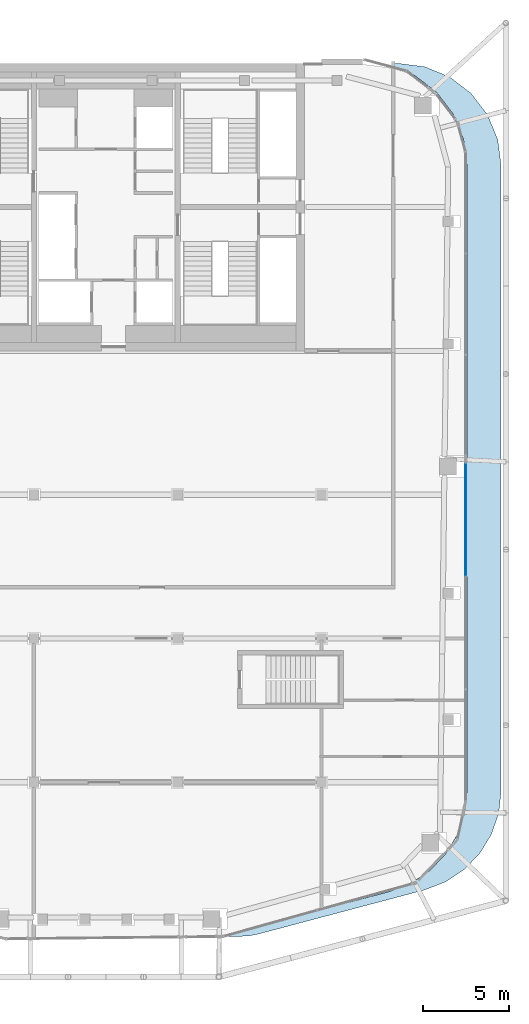
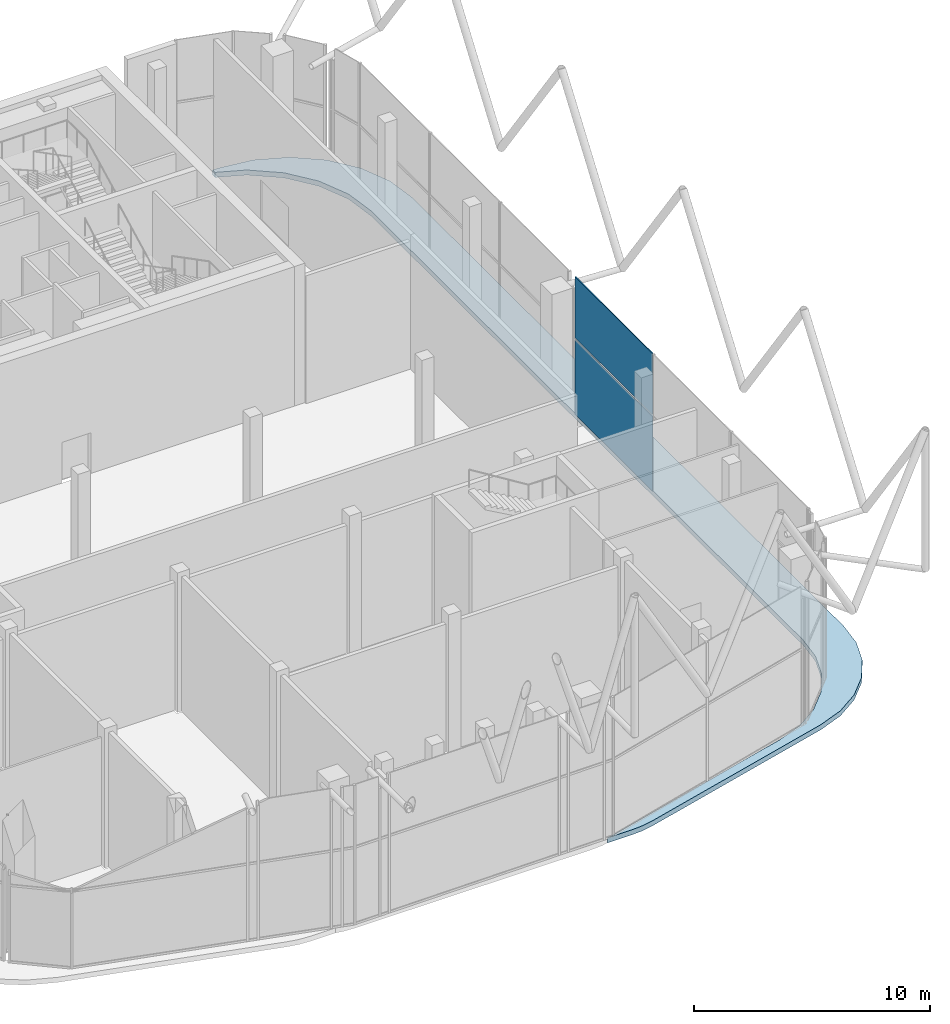
# One storey, part 16 of 25: 2 plates, 1 slab, 1 element without a shape of its own.
"""IFC4 building model written with IfcOpenShell, lengths in metres."""

from ifc_helpers import new_model, si_unit, direction, frame, origin, origin_2d, place, context, subcontext, project, spatial, polyline, rectangle, outline, extrude, material, layer, layer_set, type_object, element, aggregate, save


model = new_model("IFC4")

# Units and contexts
model_context = context("Model", 3, precision=1e-05, world=origin(), true_north=direction((0.0, 1.0)))
body_context = subcontext(model_context, "Body", "Model", "MODEL_VIEW")
ifc_project = project(units=[si_unit("LENGTHUNIT", "METRE"), si_unit("AREAUNIT", "SQUARE_METRE"), si_unit("VOLUMEUNIT", "CUBIC_METRE"), si_unit("PLANEANGLEUNIT", "RADIAN"), si_unit("MASSUNIT", "GRAM", prefix="KILO")], contexts=[model_context])

# Site, building, storey
site_placement = place(None, origin())
site = spatial("IfcSite", under=ifc_project, at=site_placement, CompositionType="ELEMENT")
building_placement = place(site_placement, origin())
building = spatial("IfcBuilding", under=site, at=building_placement, Name="Marenta Gate Hotel Tower", CompositionType="ELEMENT")
storey_placement = place(building_placement, frame((0.0, 0.0, 281.300048828125)))
storey = spatial("IfcBuildingStorey", under=building, at=storey_placement, Name="L65", CompositionType="ELEMENT", Elevation=281.300048828125)

# Curtain wall, plates
ifc_material_1 = material(Name="Tinted insulated glass in bronze anodised frame", Category="glass")
ifc_layer_1 = layer(ifc_material_1, 0.139892578125)
ifc_layer_set_1 = layer_set([ifc_layer_1], Name="Tinted insulated glass in bronze anodised frame")
curtain_wall_type = type_object("IfcCurtainWallType", Name="Observation deck structural glazing CW3", PredefinedType="NOTDEFINED", material=ifc_layer_set_1)
curtain_wall_placement = place(storey_placement, origin())
curtain_wall = element("IfcCurtainWall", 1, at=curtain_wall_placement, inside=storey, type_object=curtain_wall_type, Name="CW3 run G33", PredefinedType="NOTDEFINED")
ifc_material_2 = material(Name="Tinted insulated glass", Category="glass")
ifc_layer_2 = layer(ifc_material_2, 0.0439453125)
ifc_layer_set_2 = layer_set([ifc_layer_2], Name="Tinted insulated glass")
plate_type = type_object("IfcPlateType", Name="Glass panel CW3 44 mm tinted insulated unit", PredefinedType="CURTAIN_PANEL", material=ifc_layer_set_2)
plate_1_placement = place(storey_placement, frame((21.02392578125, -9.85009765625, 0.099853515625), z_axis=(0.0, 0.0, 1.0), x_axis=(0.0, 1.0, 0.0)))
plate_1 = element("IfcPlate", 2, at=plate_1_placement, type_object=plate_type, Name="CW3 panel 3.1", PredefinedType="CURTAIN_PANEL", context=body_context, shape_type="SweptSolid", body=[
    extrude(rectangle(XDim=6.5380859375, YDim=0.0439453125, at=origin_2d()), origin(), (0.0, 0.0, 1.0), 3.85009765625),
])
plate_2_placement = place(storey_placement, frame((21.02392578125, -9.85009765625, 4.050048828125), z_axis=(0.0, 0.0, 1.0), x_axis=(0.0, 1.0, 0.0)))
plate_2 = element("IfcPlate", 3, at=plate_2_placement, type_object=plate_type, Name="CW3 panel 3.2", PredefinedType="CURTAIN_PANEL", context=body_context, shape_type="SweptSolid", body=[
    extrude(rectangle(XDim=6.5380859375, YDim=0.0439453125, at=origin_2d()), origin(), (0.0, 0.0, 1.0), 3.14990234375),
])
aggregate(curtain_wall, [plate_1, plate_2])

# Slab
ifc_material_3 = material(Name="Concrete C35", Category="concrete")
ifc_layer_3 = layer(ifc_material_3, 0.260009765625)
ifc_layer_set_3 = layer_set([ifc_layer_3], Name="Concrete C35")
slab_type = type_object("IfcSlabType", Name="Terrace roof slab 260", PredefinedType="ROOF", material=ifc_layer_set_3)
slab_placement = place(storey_placement, frame((0.0, 0.0, -0.260009765625)))
element("IfcSlab", 4, at=slab_placement, inside=storey, type_object=slab_type, Name="L64-SL-T2", PredefinedType="ROOF", context=body_context, shape_type="SweptSolid", body=[
    extrude(outline(polyline([(21.342529296875, 15.04248046875), (22.296142578125, 13.800048828125), (22.8955078125, 12.352783203125), (23.10009765625, 10.800048828125), (23.10009765625, -25.684326171875), (22.957275390625, -26.9853515625), (22.535888671875, -28.224365234375), (21.855712890625, -29.3427734375), (20.94921875, -30.286865234375), (19.859619140625, -31.011962890625), (18.638671875, -31.483642578125), (8.904052734375, -34.066162109375), (8.3955078125, -34.16650390625), (7.87841796875, -34.199951171875), (6.642333984375, -34.199951171875), (6.82666015625, -34.16357421875), (16.569580078125, -31.578857421875), (17.8056640625, -31.101318359375), (18.913818359375, -30.364013671875), (19.83544921875, -29.404052734375), (20.52685546875, -28.26708984375), (20.955322265625, -27.007080078125), (21.10009765625, -25.689697265625), (21.10009765625, 10.806640625), (20.89306640625, 12.37890625), (20.283447265625, 13.850341796875), (19.31396484375, 15.114013671875), (18.050537109375, 16.08349609375), (16.800048828125, 16.6015625), (16.800048828125, 16.800048828125), (17.10009765625, 16.800048828125), (18.65283203125, 16.595703125), (20.10009765625, 15.99609375), (21.342529296875, 15.04248046875)])), origin(), (0.0, 0.0, 1.0), 0.260009765625),
])

save(model, "model.ifc")
